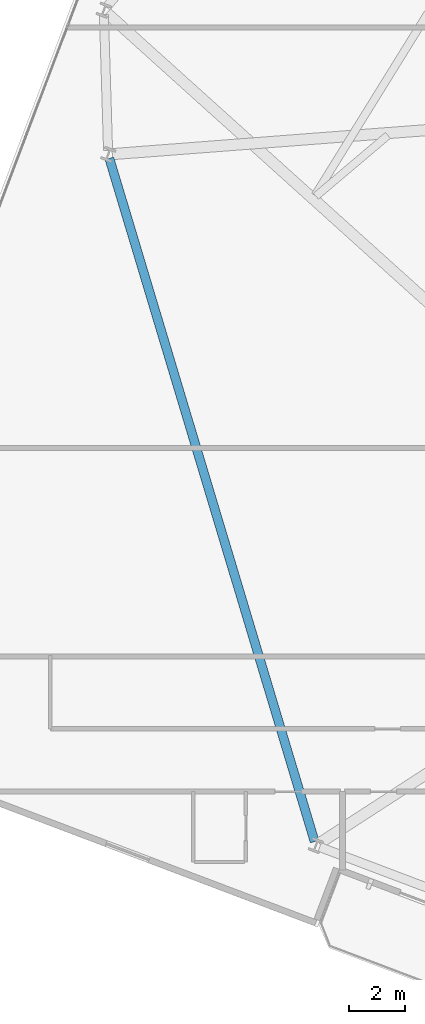
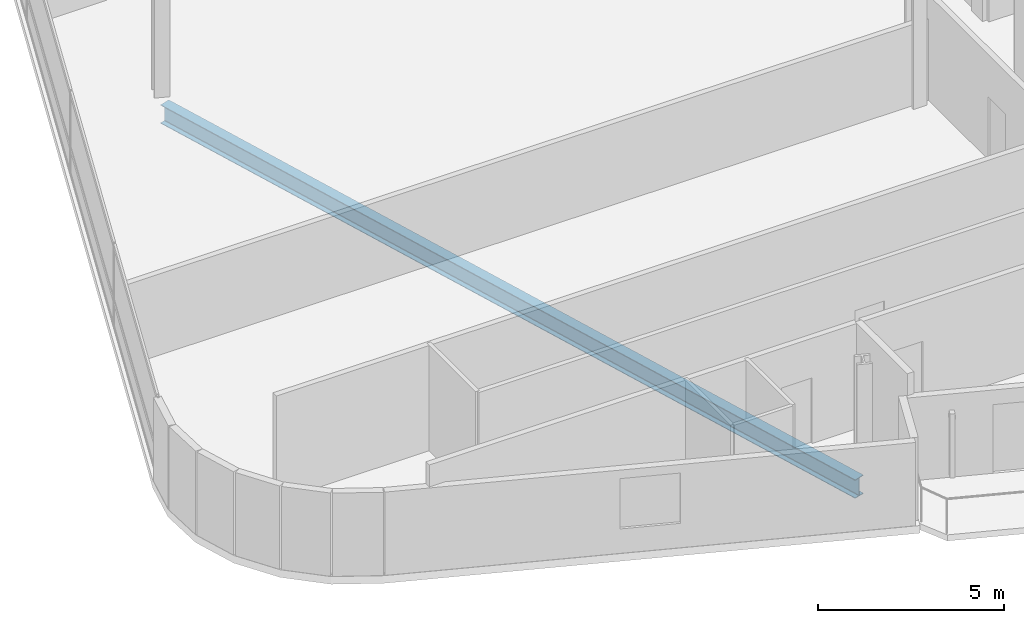
# One storey, part 5 of 26: 1 beam.
"""IFC4 building model written with IfcOpenShell, lengths in metres."""

import ifcopenshell
import ifcopenshell.guid

model = None  # the IFC model being written
_history = None  # IfcOwnerHistory: only IFC2X3 demands one
_inside = {}  # id of a spatial element -> (the spatial element, [elements in it])
_under = {}  # id of a project, library or spatial element -> (it, [spatial elements below it])
_declared = {}  # id of a project -> (the project, [libraries it declares])
_typed = {}  # id of a type object -> (the type object, [elements of that type])
_made_of = {}  # id of a material, layer set ... -> (it, [elements and type objects made of it])


def new_model(schema):
    """Start an empty IFC model of exactly this schema.

    Asked for "IFC4X3", IfcOpenShell would pick the latest addendum, in which some entities
    have other attributes; the version numbers below select the first issue.
    IFC2X3 requires an IfcOwnerHistory on every rooted entity: one is made here for all.
    """
    global model, _history
    if schema == "IFC4X3":
        model = ifcopenshell.file(schema_version=(4, 3, 0, 0))
    else:
        model = ifcopenshell.file(schema=schema)
    _inside.clear()
    _under.clear()
    _declared.clear()
    _typed.clear()
    _made_of.clear()
    _history = None
    if model.schema == "IFC2X3":
        org = make("IfcOrganization", Name="unknown")
        user = make(
            "IfcPersonAndOrganization",
            ThePerson=make("IfcPerson", FamilyName="unknown"),
            TheOrganization=org,
        )
        app = make(
            "IfcApplication",
            ApplicationDeveloper=org,
            Version="unknown",
            ApplicationFullName="unknown",
            ApplicationIdentifier="unknown",
        )
        _history = make(
            "IfcOwnerHistory",
            OwningUser=user,
            OwningApplication=app,
            ChangeAction="ADDED",
            CreationDate=0,
        )
    return model


def make(cls, **values):
    """One entity of the class cls with the attributes given. An attribute that is None is left unset."""
    return model.create_entity(
        cls, **{name: value for name, value in values.items() if value is not None}
    )


def rooted(cls, **values):
    """An entity with a GlobalId (a new one), such as an element, a storey or a relation."""
    return make(cls, GlobalId=ifcopenshell.guid.new(), OwnerHistory=_history, **values)


def si_unit(unit_type, name, prefix=None):
    """IfcSIUnit, for example si_unit("LENGTHUNIT", "METRE", prefix="MILLI")."""
    return make("IfcSIUnit", UnitType=unit_type, Prefix=prefix, Name=name)


def assignment(units):
    """IfcUnitAssignment: the units of a project."""
    return None if units is None else make("IfcUnitAssignment", Units=units)


def point(xyz):
    """IfcCartesianPoint."""
    return None if xyz is None else make("IfcCartesianPoint", Coordinates=xyz)


def direction(xyz):
    """IfcDirection."""
    return None if xyz is None else make("IfcDirection", DirectionRatios=xyz)


def frame(location, z_axis=None, x_axis=None):
    """IfcAxis2Placement3D, a coordinate frame: its origin and axes. An axis left out is left unset."""
    return make(
        "IfcAxis2Placement3D",
        Location=point(location),
        Axis=direction(z_axis),
        RefDirection=direction(x_axis),
    )


def frame_2d(location, x_axis=None):
    """IfcAxis2Placement2D, a coordinate frame in the plane: its origin and x axis."""
    return make(
        "IfcAxis2Placement2D", Location=point(location), RefDirection=direction(x_axis)
    )


def origin():
    """The frame at (0, 0, 0) with its axes left unset."""
    return frame((0.0, 0.0, 0.0))


def origin_2d():
    """The frame at (0, 0) in the plane with its x axis left unset."""
    return frame_2d((0.0, 0.0))


def place(relative_to, where):
    """IfcLocalPlacement: puts the frame where relative to a parent placement (None: the world)."""
    return make(
        "IfcLocalPlacement", PlacementRelTo=relative_to, RelativePlacement=where
    )


def context(
    kind, dimensions, precision=None, world=None, true_north=None, identifier=None
):
    """IfcGeometricRepresentationContext, for example the 3D "Model" context."""
    return make(
        "IfcGeometricRepresentationContext",
        ContextIdentifier=identifier,
        ContextType=kind,
        CoordinateSpaceDimension=dimensions,
        Precision=precision,
        WorldCoordinateSystem=world,
        TrueNorth=true_north,
    )


def subcontext(parent, identifier, kind, view, scale=None):
    """IfcGeometricRepresentationSubContext, for example "Body" below "Model"."""
    return make(
        "IfcGeometricRepresentationSubContext",
        ContextIdentifier=identifier,
        ContextType=kind,
        ParentContext=parent,
        TargetScale=scale,
        TargetView=view,
    )


def project(units=None, contexts=None):
    """IfcProject with its units and contexts."""
    return rooted(
        "IfcProject",
        Name="project",
        RepresentationContexts=contexts,
        UnitsInContext=assignment(units),
    )


def spatial(cls, under=None, at=None, **own):
    """A site, building, storey or space (cls), placed at a placement, below another one or the project."""
    s = rooted(cls, ObjectPlacement=at, **own)
    if under is not None:
        _under.setdefault(under.id(), (under, []))[1].append(s)
    return s


def profile(cls, at=None, kind="AREA", **sizes):
    """A parametric profile (cls). Its sizes go by their IFC names, for example OverallWidth=200.0."""
    return make(cls, ProfileType=kind, Position=at, **sizes)


def i_section(**sizes):
    """IfcIShapeProfileDef."""
    return profile("IfcIShapeProfileDef", **sizes)


def extrude(swept, where, along, depth):
    """IfcExtrudedAreaSolid: the profile swept, set in the frame where, extruded along a direction by depth."""
    return make(
        "IfcExtrudedAreaSolid",
        SweptArea=swept,
        Position=where,
        ExtrudedDirection=direction(along),
        Depth=depth,
    )


def shape(context_of_items, identifier, shape_type, items):
    """IfcShapeRepresentation: the items that make up one representation, for example the "Body"."""
    return make(
        "IfcShapeRepresentation",
        ContextOfItems=context_of_items,
        RepresentationIdentifier=identifier,
        RepresentationType=shape_type,
        Items=items,
    )


def material(Name=None, Category=None):
    """IfcMaterial."""
    return make("IfcMaterial", Name=Name, Category=Category)


def material_profile(
    of_material, cross_section, Name=None, Category=None, Priority=None
):
    """IfcMaterialProfile: a cross section and its material."""
    return make(
        "IfcMaterialProfile",
        Name=Name,
        Material=of_material,
        Profile=cross_section,
        Priority=Priority,
        Category=Category,
    )


def profile_set(profiles, Name=None, composite=None):
    """IfcMaterialProfileSet."""
    return make(
        "IfcMaterialProfileSet",
        Name=Name,
        MaterialProfiles=profiles,
        CompositeProfile=composite,
    )


def made_of(thing, what):
    """Note that an element or type object is made of a material, layer set ...; save() writes the relation."""
    if what is not None:
        _made_of.setdefault(what.id(), (what, []))[1].append(thing)
    return thing


def type_object(cls, material=None, **own):
    """A type object (cls), such as IfcWallType, which elements share."""
    return made_of(rooted(cls, **own), material)


def element(
    cls,
    number,
    at=None,
    inside=None,
    cuts=None,
    type_object=None,
    material=None,
    context=None,
    identifier="Body",
    shape_type=None,
    held_by="IfcProductDefinitionShape",
    body=None,
    shapes=None,
    **own,
):
    """One element of the class cls, such as IfcWall. Its Tag is "e" and its number.

    at: its placement. inside: the storey or other place that contains it. cuts: it is an
    opening in that element (IfcRelVoidsElement). A single representation is given by context,
    identifier, shape_type and body (its items); several are given by shapes. held_by: the class
    of the entity that holds the representations. save() writes the other relations.
    """
    e = rooted(cls, Tag="e%d" % number, ObjectPlacement=at, **own)
    if body is not None:
        shapes = [shape(context, identifier, shape_type, body)]
    if shapes is not None:
        e.Representation = make(held_by, Representations=shapes)
    if inside is not None:
        _inside.setdefault(inside.id(), (inside, []))[1].append(e)
    if cuts is not None:
        rooted(
            "IfcRelVoidsElement", RelatingBuildingElement=cuts, RelatedOpeningElement=e
        )
    if type_object is not None:
        _typed.setdefault(type_object.id(), (type_object, []))[1].append(e)
    return made_of(e, material)


def aggregate(whole, parts):
    """IfcRelAggregates: a whole, such as a stair, and the parts it consists of."""
    return rooted("IfcRelAggregates", RelatingObject=whole, RelatedObjects=parts)


def save(model, path):
    """Write the relations noted so far, then the file.

    IfcRelAggregates (storeys below a building ...), IfcRelContainedInSpatialStructure (elements
    in a storey), IfcRelDefinesByType, IfcRelAssociatesMaterial and IfcRelDeclares: one each for
    every whole, place, type object, material and project.
    """
    for whole, parts in _under.values():
        aggregate(whole, parts)
    for where, things in _inside.values():
        rooted(
            "IfcRelContainedInSpatialStructure",
            RelatedElements=things,
            RelatingStructure=where,
        )
    for kind, things in _typed.values():
        rooted("IfcRelDefinesByType", RelatedObjects=things, RelatingType=kind)
    for what, things in _made_of.values():
        rooted("IfcRelAssociatesMaterial", RelatedObjects=things, RelatingMaterial=what)
    for by, libraries in _declared.values():
        rooted("IfcRelDeclares", RelatingContext=by, RelatedDefinitions=libraries)
    model.write(path)


model = new_model("IFC4")

# Units and contexts
model_context = context("Model", 3, precision=1e-05, world=origin(), true_north=direction((0.0, 1.0)))
body_context = subcontext(model_context, "Body", "Model", "MODEL_VIEW")
ifc_project = project(units=[si_unit("LENGTHUNIT", "METRE"), si_unit("AREAUNIT", "SQUARE_METRE"), si_unit("VOLUMEUNIT", "CUBIC_METRE"), si_unit("PLANEANGLEUNIT", "RADIAN"), si_unit("MASSUNIT", "GRAM", prefix="KILO")], contexts=[model_context])

# Site, building, storey
site_placement = place(None, origin())
site = spatial("IfcSite", under=ifc_project, at=site_placement, CompositionType="ELEMENT")
building_placement = place(site_placement, origin())
building = spatial("IfcBuilding", under=site, at=building_placement, Name="Varnelok Gate Tower", CompositionType="ELEMENT")
storey_placement = place(building_placement, frame((0.0, 0.0, 109.5)))
storey = spatial("IfcBuildingStorey", under=building, at=storey_placement, Name="L27", CompositionType="ELEMENT", Elevation=109.5)

# Beam
ifc_material = material(Name="Structural Steel ASTM A992 Grade 50", Category="steel")
ifc_material_profile = material_profile(ifc_material, i_section(OverallWidth=0.323974609375, OverallDepth=0.611083984375, WebThickness=0.0126953125, FlangeThickness=0.01904296875, FilletRadius=0.01806640625, at=origin_2d()), Name="W24X104")
ifc_profile_set = profile_set([ifc_material_profile], Name="Structural Steel ASTM A992 Grade 50")
beam_type = type_object("IfcBeamType", Name="BM-SPN-W24X104", PredefinedType="SPANDREL", material=ifc_profile_set)
beam_placement = place(storey_placement, frame((7.124267578125, 37.102294921875, -0.555419921875), z_axis=(0.287734186054, -0.957710310154, 0.0), x_axis=(0.957710310154, 0.287734186054, 0.0)))
element("IfcBeam", 1, at=beam_placement, inside=storey, type_object=beam_type, Name="L27 Perimeter Spandrel Beam 16", PredefinedType="SPANDREL", context=body_context, shape_type="SweptSolid", body=[
    extrude(i_section(OverallWidth=0.323974609375, OverallDepth=0.611083984375, WebThickness=0.0126953125, FlangeThickness=0.01904296875, FilletRadius=0.01806640625, at=origin_2d()), origin(), (0.0, 0.0, 1.0), 25.626220703125),
])

save(model, "model.ifc")
